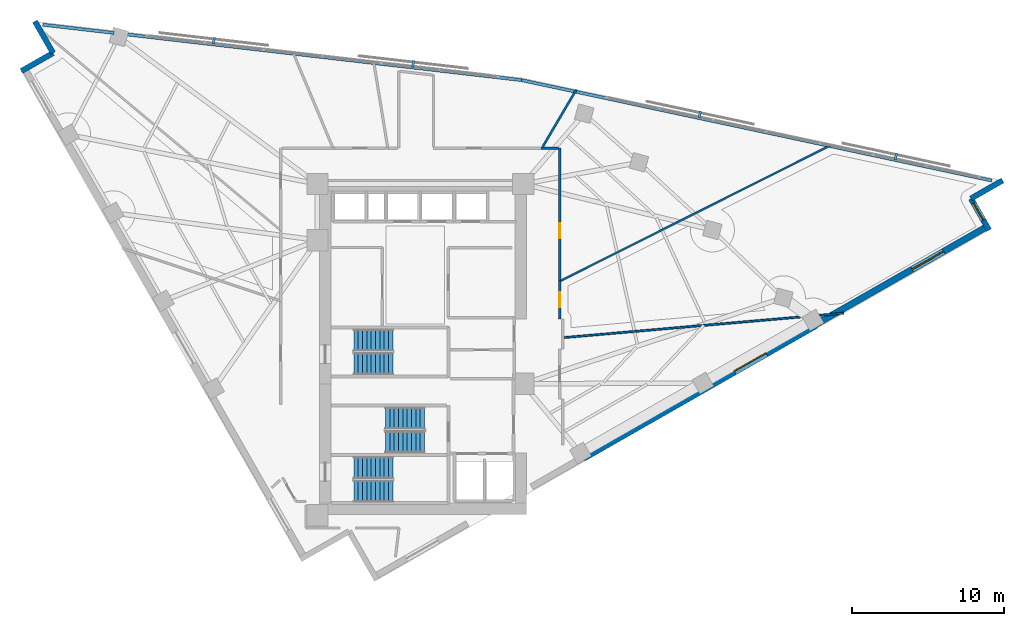
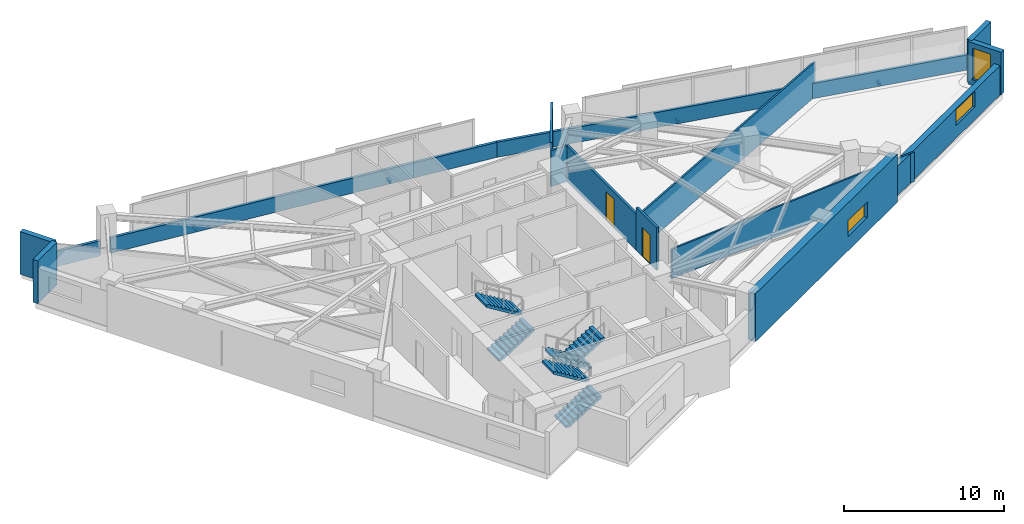
# One storey, part 11 of 13: 15 walls, 6 stair flights, 4 discrete accessories, 3 windows, 2 doors, 5 openings, 3 elements without a shape of their own.
"""IFC4 building model written with IfcOpenShell, lengths in metres."""

import ifcopenshell
import ifcopenshell.guid

model = None  # the IFC model being written
_history = None  # IfcOwnerHistory: only IFC2X3 demands one
_inside = {}  # id of a spatial element -> (the spatial element, [elements in it])
_under = {}  # id of a project, library or spatial element -> (it, [spatial elements below it])
_declared = {}  # id of a project -> (the project, [libraries it declares])
_typed = {}  # id of a type object -> (the type object, [elements of that type])
_made_of = {}  # id of a material, layer set ... -> (it, [elements and type objects made of it])


def new_model(schema):
    """Start an empty IFC model of exactly this schema.

    Asked for "IFC4X3", IfcOpenShell would pick the latest addendum, in which some entities
    have other attributes; the version numbers below select the first issue.
    IFC2X3 requires an IfcOwnerHistory on every rooted entity: one is made here for all.
    """
    global model, _history
    if schema == "IFC4X3":
        model = ifcopenshell.file(schema_version=(4, 3, 0, 0))
    else:
        model = ifcopenshell.file(schema=schema)
    _inside.clear()
    _under.clear()
    _declared.clear()
    _typed.clear()
    _made_of.clear()
    _history = None
    if model.schema == "IFC2X3":
        org = make("IfcOrganization", Name="unknown")
        user = make(
            "IfcPersonAndOrganization",
            ThePerson=make("IfcPerson", FamilyName="unknown"),
            TheOrganization=org,
        )
        app = make(
            "IfcApplication",
            ApplicationDeveloper=org,
            Version="unknown",
            ApplicationFullName="unknown",
            ApplicationIdentifier="unknown",
        )
        _history = make(
            "IfcOwnerHistory",
            OwningUser=user,
            OwningApplication=app,
            ChangeAction="ADDED",
            CreationDate=0,
        )
    return model


def make(cls, **values):
    """One entity of the class cls with the attributes given. An attribute that is None is left unset."""
    return model.create_entity(
        cls, **{name: value for name, value in values.items() if value is not None}
    )


def rooted(cls, **values):
    """An entity with a GlobalId (a new one), such as an element, a storey or a relation."""
    return make(cls, GlobalId=ifcopenshell.guid.new(), OwnerHistory=_history, **values)


def si_unit(unit_type, name, prefix=None):
    """IfcSIUnit, for example si_unit("LENGTHUNIT", "METRE", prefix="MILLI")."""
    return make("IfcSIUnit", UnitType=unit_type, Prefix=prefix, Name=name)


def assignment(units):
    """IfcUnitAssignment: the units of a project."""
    return None if units is None else make("IfcUnitAssignment", Units=units)


def point(xyz):
    """IfcCartesianPoint."""
    return None if xyz is None else make("IfcCartesianPoint", Coordinates=xyz)


def direction(xyz):
    """IfcDirection."""
    return None if xyz is None else make("IfcDirection", DirectionRatios=xyz)


def frame(location, z_axis=None, x_axis=None):
    """IfcAxis2Placement3D, a coordinate frame: its origin and axes. An axis left out is left unset."""
    return make(
        "IfcAxis2Placement3D",
        Location=point(location),
        Axis=direction(z_axis),
        RefDirection=direction(x_axis),
    )


def frame_2d(location, x_axis=None):
    """IfcAxis2Placement2D, a coordinate frame in the plane: its origin and x axis."""
    return make(
        "IfcAxis2Placement2D", Location=point(location), RefDirection=direction(x_axis)
    )


def origin():
    """The frame at (0, 0, 0) with its axes left unset."""
    return frame((0.0, 0.0, 0.0))


def origin_2d():
    """The frame at (0, 0) in the plane with its x axis left unset."""
    return frame_2d((0.0, 0.0))


def place(relative_to, where):
    """IfcLocalPlacement: puts the frame where relative to a parent placement (None: the world)."""
    return make(
        "IfcLocalPlacement", PlacementRelTo=relative_to, RelativePlacement=where
    )


def context(
    kind, dimensions, precision=None, world=None, true_north=None, identifier=None
):
    """IfcGeometricRepresentationContext, for example the 3D "Model" context."""
    return make(
        "IfcGeometricRepresentationContext",
        ContextIdentifier=identifier,
        ContextType=kind,
        CoordinateSpaceDimension=dimensions,
        Precision=precision,
        WorldCoordinateSystem=world,
        TrueNorth=true_north,
    )


def subcontext(parent, identifier, kind, view, scale=None):
    """IfcGeometricRepresentationSubContext, for example "Body" below "Model"."""
    return make(
        "IfcGeometricRepresentationSubContext",
        ContextIdentifier=identifier,
        ContextType=kind,
        ParentContext=parent,
        TargetScale=scale,
        TargetView=view,
    )


def project(units=None, contexts=None):
    """IfcProject with its units and contexts."""
    return rooted(
        "IfcProject",
        Name="project",
        RepresentationContexts=contexts,
        UnitsInContext=assignment(units),
    )


def spatial(cls, under=None, at=None, **own):
    """A site, building, storey or space (cls), placed at a placement, below another one or the project."""
    s = rooted(cls, ObjectPlacement=at, **own)
    if under is not None:
        _under.setdefault(under.id(), (under, []))[1].append(s)
    return s


def polyline(points):
    """IfcPolyline through the points."""
    return make("IfcPolyline", Points=[point(p) for p in points])


def profile(cls, at=None, kind="AREA", **sizes):
    """A parametric profile (cls). Its sizes go by their IFC names, for example OverallWidth=200.0."""
    return make(cls, ProfileType=kind, Position=at, **sizes)


def rectangle(**sizes):
    """IfcRectangleProfileDef."""
    return profile("IfcRectangleProfileDef", **sizes)


def outline(outer, holes=None, kind="AREA"):
    """IfcArbitraryClosedProfileDef: a profile drawn as a closed curve; with holes, ...WithVoids."""
    if holes is None:
        return make("IfcArbitraryClosedProfileDef", ProfileType=kind, OuterCurve=outer)
    return make(
        "IfcArbitraryProfileDefWithVoids",
        ProfileType=kind,
        OuterCurve=outer,
        InnerCurves=holes,
    )


def extrude(swept, where, along, depth):
    """IfcExtrudedAreaSolid: the profile swept, set in the frame where, extruded along a direction by depth."""
    return make(
        "IfcExtrudedAreaSolid",
        SweptArea=swept,
        Position=where,
        ExtrudedDirection=direction(along),
        Depth=depth,
    )


def shape(context_of_items, identifier, shape_type, items):
    """IfcShapeRepresentation: the items that make up one representation, for example the "Body"."""
    return make(
        "IfcShapeRepresentation",
        ContextOfItems=context_of_items,
        RepresentationIdentifier=identifier,
        RepresentationType=shape_type,
        Items=items,
    )


def material(Name=None, Category=None):
    """IfcMaterial."""
    return make("IfcMaterial", Name=Name, Category=Category)


def layer(
    of_material, thickness, ventilated=None, Name=None, Category=None, Priority=None
):
    """IfcMaterialLayer: one layer of a wall or slab, of a material (None: an air gap)."""
    return make(
        "IfcMaterialLayer",
        Material=of_material,
        LayerThickness=thickness,
        IsVentilated=ventilated,
        Name=Name,
        Category=Category,
        Priority=Priority,
    )


def layer_set(layers, Name=None):
    """IfcMaterialLayerSet."""
    return make("IfcMaterialLayerSet", MaterialLayers=layers, LayerSetName=Name)


def made_of(thing, what):
    """Note that an element or type object is made of a material, layer set ...; save() writes the relation."""
    if what is not None:
        _made_of.setdefault(what.id(), (what, []))[1].append(thing)
    return thing


def type_object(cls, material=None, **own):
    """A type object (cls), such as IfcWallType, which elements share."""
    return made_of(rooted(cls, **own), material)


def element(
    cls,
    number,
    at=None,
    inside=None,
    cuts=None,
    type_object=None,
    material=None,
    context=None,
    identifier="Body",
    shape_type=None,
    held_by="IfcProductDefinitionShape",
    body=None,
    shapes=None,
    **own,
):
    """One element of the class cls, such as IfcWall. Its Tag is "e" and its number.

    at: its placement. inside: the storey or other place that contains it. cuts: it is an
    opening in that element (IfcRelVoidsElement). A single representation is given by context,
    identifier, shape_type and body (its items); several are given by shapes. held_by: the class
    of the entity that holds the representations. save() writes the other relations.
    """
    e = rooted(cls, Tag="e%d" % number, ObjectPlacement=at, **own)
    if body is not None:
        shapes = [shape(context, identifier, shape_type, body)]
    if shapes is not None:
        e.Representation = make(held_by, Representations=shapes)
    if inside is not None:
        _inside.setdefault(inside.id(), (inside, []))[1].append(e)
    if cuts is not None:
        rooted(
            "IfcRelVoidsElement", RelatingBuildingElement=cuts, RelatedOpeningElement=e
        )
    if type_object is not None:
        _typed.setdefault(type_object.id(), (type_object, []))[1].append(e)
    return made_of(e, material)


def fill(opening, filler):
    """IfcRelFillsElement: the door or window that sits in an opening."""
    return rooted(
        "IfcRelFillsElement",
        RelatingOpeningElement=opening,
        RelatedBuildingElement=filler,
    )


def aggregate(whole, parts):
    """IfcRelAggregates: a whole, such as a stair, and the parts it consists of."""
    return rooted("IfcRelAggregates", RelatingObject=whole, RelatedObjects=parts)


def save(model, path):
    """Write the relations noted so far, then the file.

    IfcRelAggregates (storeys below a building ...), IfcRelContainedInSpatialStructure (elements
    in a storey), IfcRelDefinesByType, IfcRelAssociatesMaterial and IfcRelDeclares: one each for
    every whole, place, type object, material and project.
    """
    for whole, parts in _under.values():
        aggregate(whole, parts)
    for where, things in _inside.values():
        rooted(
            "IfcRelContainedInSpatialStructure",
            RelatedElements=things,
            RelatingStructure=where,
        )
    for kind, things in _typed.values():
        rooted("IfcRelDefinesByType", RelatedObjects=things, RelatingType=kind)
    for what, things in _made_of.values():
        rooted("IfcRelAssociatesMaterial", RelatedObjects=things, RelatingMaterial=what)
    for by, libraries in _declared.values():
        rooted("IfcRelDeclares", RelatingContext=by, RelatedDefinitions=libraries)
    model.write(path)


model = new_model("IFC4")

# Units and contexts
model_context = context("Model", 3, precision=1e-05, world=origin(), true_north=direction((0.0, 1.0)))
body_context = subcontext(model_context, "Body", "Model", "MODEL_VIEW")
ifc_project = project(units=[si_unit("LENGTHUNIT", "METRE"), si_unit("AREAUNIT", "SQUARE_METRE"), si_unit("VOLUMEUNIT", "CUBIC_METRE"), si_unit("PLANEANGLEUNIT", "RADIAN"), si_unit("MASSUNIT", "GRAM", prefix="KILO")], contexts=[model_context])

# Site, building, storey
site_placement = place(None, origin())
site = spatial("IfcSite", under=ifc_project, at=site_placement, CompositionType="ELEMENT")
building_placement = place(site_placement, origin())
building = spatial("IfcBuilding", under=site, at=building_placement, Name="Narakoshi Arena Tower", CompositionType="ELEMENT")
storey_placement = place(building_placement, frame((0.0, 0.0, 200.89990234375)))
storey = spatial("IfcBuildingStorey", under=building, at=storey_placement, Name="L54", CompositionType="ELEMENT", Elevation=200.89990234375)

# Wall, opening, door
ifc_material_1 = material(Name="Gypsum plasterboard fire-rated partition")
ifc_layer_1 = layer(ifc_material_1, 0.1650390625)
ifc_layer_set_1 = layer_set([ifc_layer_1], Name="Gypsum plasterboard fire-rated partition")
wall_type_1 = type_object("IfcWallType", Name="WL-CORR-165", PredefinedType="PARTITIONING", material=ifc_layer_set_1)
wall_1_placement = place(storey_placement, frame((87.955322265625, 47.6201171875, 0.0), z_axis=(0.0, 0.0, 1.0), x_axis=(0.0, 1.0, 0.0)))
wall_1 = element("IfcWall", 1, at=wall_1_placement, inside=storey, type_object=wall_type_1, Name="L54 Corridor Partition 03-1", PredefinedType="PARTITIONING", context=body_context, shape_type="SweptSolid", body=[
    extrude(rectangle(XDim=2.515869140625, YDim=0.1650390625, at=frame_2d((1.2578125, 0.0))), origin(), (0.0, 0.0, 1.0), 3.260009765625),
])
opening_1_placement = place(wall_1_placement, frame((0.758056640625, 0.0, 0.0)))
opening_1 = element("IfcOpeningElement", 2, at=opening_1_placement, cuts=wall_1, Name="Opening D-06", PredefinedType="OPENING", context=body_context, shape_type="SweptSolid", body=[
    extrude(rectangle(XDim=1.0, YDim=2.199951171875, at=frame_2d((0.5, 1.10009765625))), frame((0.0, 0.092529296875, 0.0), z_axis=(0.0, -1.0, 0.0), x_axis=(1.0, 0.0, 0.0)), (0.0, 0.0, 1.0), 0.18505859375),
])
ifc_material_2 = material(Name="Stained oak solid-core timber", Category="wood")
door_type = type_object("IfcDoorType", Name="DR-OFF-1000", OperationType="NOTDEFINED", PredefinedType="DOOR", material=ifc_material_2)
door_1_placement = place(opening_1_placement, frame((1.0, 0.0, 0.0), z_axis=(0.0, 0.0, 1.0), x_axis=(-1.0, 0.0, 0.0)))
door_1 = element("IfcDoor", 3, at=door_1_placement, inside=storey, type_object=door_type, Name="DR-L54-016", OperationType="SINGLE_SWING_RIGHT", OverallHeight=2.199951171875, OverallWidth=1.0, PredefinedType="DOOR", context=body_context, shape_type="SweptSolid", body=[
    extrude(rectangle(XDim=1.0, YDim=2.199951171875, at=frame_2d((0.5, 1.10009765625))), frame((0.0, 0.02490234375, 0.0), z_axis=(0.0, -1.0, 0.0), x_axis=(1.0, 0.0, 0.0)), (0.0, 0.0, 1.0), 0.050048828125),
])
fill(opening_1, door_1)

wall_2_placement = place(storey_placement, frame((87.955322265625, 50.16259765625, 0.0), z_axis=(0.0, 0.0, 1.0), x_axis=(0.0, 1.0, 0.0)))
wall_2 = element("IfcWall", 4, at=wall_2_placement, inside=storey, type_object=wall_type_1, Name="L54 Corridor Partition 04-1", PredefinedType="PARTITIONING", context=body_context, shape_type="SweptSolid", body=[
    extrude(rectangle(XDim=8.69287109375, YDim=0.1650390625, at=frame_2d((4.346435546875, 0.0))), origin(), (0.0, 0.0, 1.0), 2.7451171875),
])
opening_2_placement = place(wall_2_placement, frame((2.75244140625, 0.0, 0.0)))
opening_2 = element("IfcOpeningElement", 5, at=opening_2_placement, cuts=wall_2, Name="Opening D-06", PredefinedType="OPENING", context=body_context, shape_type="SweptSolid", body=[
    extrude(rectangle(XDim=1.0, YDim=2.199951171875, at=frame_2d((0.5, 1.10009765625))), frame((0.0, 0.092529296875, 0.0), z_axis=(0.0, -1.0, 0.0), x_axis=(1.0, 0.0, 0.0)), (0.0, 0.0, 1.0), 0.18505859375),
])
door_2_placement = place(opening_2_placement, frame((1.0, 0.0, 0.0), z_axis=(0.0, 0.0, 1.0), x_axis=(-1.0, 0.0, 0.0)))
door_2 = element("IfcDoor", 6, at=door_2_placement, inside=storey, type_object=door_type, Name="DR-L54-017", OperationType="SINGLE_SWING_LEFT", OverallHeight=2.199951171875, OverallWidth=1.0, PredefinedType="DOOR", context=body_context, shape_type="SweptSolid", body=[
    extrude(rectangle(XDim=1.0, YDim=2.199951171875, at=frame_2d((0.5, 1.10009765625))), frame((0.0, 0.02490234375, 0.0), z_axis=(0.0, -1.0, 0.0), x_axis=(1.0, 0.0, 0.0)), (0.0, 0.0, 1.0), 0.050048828125),
])
fill(opening_2, door_2)

# Wall
wall_3_placement = place(storey_placement, frame((87.86083984375, 58.85546875, 0.0), z_axis=(0.0, 0.0, 1.0), x_axis=(-1.0, 0.0, 0.0)))
element("IfcWall", 7, at=wall_3_placement, inside=storey, type_object=wall_type_1, Name="L54 Corridor Partition 04-2", PredefinedType="PARTITIONING", context=body_context, shape_type="SweptSolid", body=[
    extrude(rectangle(XDim=1.12939453125, YDim=0.1650390625, at=frame_2d((0.564697265625, 0.0))), origin(), (0.0, 0.0, 1.0), 2.7451171875),
])

# Wall, opening, window
ifc_material_3 = material(Name="Concrete C50/60", Category="concrete")
ifc_layer_2 = layer(ifc_material_3, 0.550048828125)
ifc_layer_set_2 = layer_set([ifc_layer_2], Name="Concrete C50/60")
wall_type_2 = type_object("IfcWallType", Name="WL-LEG-550", PredefinedType="SHEAR", material=ifc_layer_set_2)
wall_4_placement = place(storey_placement, frame((89.479248046875, 38.4990234375, -0.39990234375), z_axis=(0.0, 0.0, 1.0), x_axis=(0.868197136736, 0.496219439123, 0.0)))
wall_4 = element("IfcWall", 8, at=wall_4_placement, inside=storey, type_object=wall_type_2, Name="L54 Architectural Concrete Structural Wall LEGA-3", PredefinedType="SHEAR", context=body_context, shape_type="SweptSolid", body=[
    extrude(rectangle(XDim=17.63623046875, YDim=0.550048828125, at=frame_2d((8.818115234375, 0.0))), origin(), (0.0, 0.0, 1.0), 3.659912109375),
])
opening_3_placement = place(wall_4_placement, frame((11.463623046875, 0.0, 1.10009765625)))
opening_3 = element("IfcOpeningElement", 9, at=opening_3_placement, cuts=wall_4, Name="Opening WN-04", PredefinedType="OPENING", context=body_context, shape_type="SweptSolid", body=[
    extrude(rectangle(XDim=2.39990234375, YDim=1.199951171875, at=frame_2d((1.199951171875, 0.60009765625))), frame((0.0, 0.284912109375, 0.0), z_axis=(0.0, -1.0, 0.0), x_axis=(1.0, 0.0, 0.0)), (0.0, 0.0, 1.0), 0.570068359375),
])
ifc_material_4 = material(Name="Bronze-tinted low-E laminated glass", Category="glass")
window_type_1 = type_object("IfcWindowType", Name="WIN-SLT-24x12", PartitioningType="SINGLE_PANEL", PredefinedType="WINDOW", material=ifc_material_4)
window_1_placement = place(opening_3_placement, origin())
window_1 = element("IfcWindow", 10, at=window_1_placement, inside=storey, type_object=window_type_1, Name="L54 LEGA3 Horizontal Slot Window 1", OverallHeight=1.199951171875, OverallWidth=2.39990234375, PartitioningType="SINGLE_PANEL", PredefinedType="WINDOW", context=body_context, shape_type="SweptSolid", body=[
    extrude(rectangle(XDim=2.39990234375, YDim=1.199951171875, at=frame_2d((1.199951171875, 0.60009765625))), frame((0.0, 0.030029296875, 0.0), z_axis=(0.0, -1.0, 0.0), x_axis=(1.0, 0.0, 0.0)), (0.0, 0.0, 1.0), 0.06005859375),
])
fill(opening_3, window_1)

# Walls
ifc_material_5 = material(Name="Precast concrete C45/55", Category="concrete")
ifc_layer_3 = layer(ifc_material_5, 0.25)
ifc_layer_set_3 = layer_set([ifc_layer_3], Name="Precast concrete C45/55")
wall_type_3 = type_object("IfcWallType", Name="WL-PARA-250", PredefinedType="PARAPET", material=ifc_layer_set_3)
wall_5_placement = place(storey_placement, frame((116.3955078125, 56.7216796875, 0.0), z_axis=(0.0, 0.0, 1.0), x_axis=(-0.977936620644, 0.208901809478, 0.0)))
element("IfcWall", 11, at=wall_5_placement, inside=storey, type_object=wall_type_3, Name="L54 Hypotenuse Sill Upstand Parapet 1-01", PredefinedType="PARAPET", context=body_context, shape_type="SweptSolid", body=[
    extrude(rectangle(XDim=31.685302734375, YDim=0.199951171875, at=frame_2d((15.8427734375, 0.0))), origin(), (0.0, 0.0, 1.0), 1.150146484375),
])
wall_6_placement = place(storey_placement, frame((85.42431640625, 63.33837890625, 0.0), z_axis=(0.0, 0.0, 1.0), x_axis=(-0.993364714048, 0.115006716693, 0.0)))
element("IfcWall", 12, at=wall_6_placement, inside=storey, type_object=wall_type_3, Name="L54 Hypotenuse Sill Upstand Parapet 2-01", PredefinedType="PARAPET", context=body_context, shape_type="SweptSolid", body=[
    extrude(rectangle(XDim=26.302001953125, YDim=0.199951171875, at=frame_2d((13.15087890625, 0.0))), origin(), (0.0, 0.0, 1.0), 1.150146484375),
])
wall_7_placement = place(storey_placement, frame((58.621826171875, 66.44140625, 0.0), z_axis=(0.0, 0.0, 1.0), x_axis=(-0.993362937665, 0.115022059074, 0.0)))
element("IfcWall", 13, at=wall_7_placement, inside=storey, type_object=wall_type_3, Name="L54 Hypotenuse Sill Upstand Parapet 2-02", PredefinedType="PARAPET", context=body_context, shape_type="SweptSolid", body=[
    extrude(rectangle(XDim=4.72705078125, YDim=0.199951171875, at=frame_2d((2.363525390625, 0.0))), origin(), (0.0, 0.0, 1.0), 1.150146484375),
])
ifc_layer_4 = layer(ifc_material_1, 0.125)
ifc_layer_set_4 = layer_set([ifc_layer_4], Name="Gypsum plasterboard fire-rated partition")
wall_type_4 = type_object("IfcWallType", Name="WL-PART-125", PredefinedType="PARTITIONING", material=ifc_layer_set_4)
wall_8_placement = place(storey_placement, frame((88.244384765625, 46.39404296875, 0.0), z_axis=(0.0, 0.0, 1.0), x_axis=(0.996222472226, 0.086837698223, 0.0)))
element("IfcWall", 14, at=wall_8_placement, inside=storey, type_object=wall_type_4, Name="L54 Inter-Room Partition 02-03", PredefinedType="PARTITIONING", context=body_context, shape_type="SweptSolid", body=[
    extrude(rectangle(XDim=18.479736328125, YDim=0.125, at=frame_2d((9.23974609375, 0.0))), origin(), (0.0, 0.0, 1.0), 2.2451171875),
])
wall_9_placement = place(storey_placement, frame((88.021484375, 50.135986328125, 0.0), z_axis=(0.0, 0.0, 1.0), x_axis=(0.893782835211, 0.448499992734, 0.0)))
element("IfcWall", 15, at=wall_9_placement, inside=storey, type_object=wall_type_4, Name="L54 Inter-Room Partition 03-04", PredefinedType="PARTITIONING", context=body_context, shape_type="SweptSolid", body=[
    extrude(rectangle(XDim=20.0341796875, YDim=0.125, at=frame_2d((10.01708984375, 0.0))), origin(), (0.0, 0.0, 1.0), 2.64501953125),
])

# Wall, opening, window
ifc_layer_5 = layer(ifc_material_5, 0.419921875)
ifc_layer_set_5 = layer_set([ifc_layer_5], Name="Precast concrete C45/55")
wall_type_5 = type_object("IfcWallType", Name="WL-POD-420", PredefinedType="SOLIDWALL", material=ifc_layer_set_5)
wall_10_placement = place(storey_placement, frame((104.791015625, 47.25048828125, 0.0), z_axis=(0.0, 0.0, 1.0), x_axis=(0.868193423982, 0.496225934987, 0.0)))
wall_10 = element("IfcWall", 16, at=wall_10_placement, inside=storey, type_object=wall_type_5, Name="L54 Architectural Concrete Facade Wall LEGA-4", PredefinedType="SOLIDWALL", context=body_context, shape_type="SweptSolid", body=[
    extrude(rectangle(XDim=12.9951171875, YDim=0.419921875, at=frame_2d((6.49755859375, 0.0))), origin(), (0.0, 0.0, 1.0), 2.2451171875),
])
opening_4_placement = place(wall_10_placement, frame((7.309814453125, 0.0, 0.965087890625)))
opening_4 = element("IfcOpeningElement", 17, at=opening_4_placement, cuts=wall_10, Name="Opening WN-04", PredefinedType="OPENING", context=body_context, shape_type="SweptSolid", body=[
    extrude(rectangle(XDim=2.39990234375, YDim=1.199951171875, at=frame_2d((1.199951171875, 0.60009765625))), frame((0.0, 0.219970703125, 0.0), z_axis=(0.0, -1.0, 0.0), x_axis=(1.0, 0.0, 0.0)), (0.0, 0.0, 1.0), 0.43994140625),
])
window_2_placement = place(opening_4_placement, origin())
window_2 = element("IfcWindow", 18, at=window_2_placement, inside=storey, type_object=window_type_1, Name="L54 LEGA4 Horizontal Slot Window 1", OverallHeight=1.199951171875, OverallWidth=2.39990234375, PartitioningType="SINGLE_PANEL", PredefinedType="WINDOW", context=body_context, shape_type="SweptSolid", body=[
    extrude(rectangle(XDim=2.39990234375, YDim=1.199951171875, at=frame_2d((1.199951171875, 0.60009765625))), frame((0.0, 0.030029296875, 0.0), z_axis=(0.0, -1.0, 0.0), x_axis=(1.0, 0.0, 0.0)), (0.0, 0.0, 1.0), 0.06005859375),
])
fill(opening_4, window_2)

wall_11_placement = place(storey_placement, frame((116.209716796875, 53.460205078125, 0.0), z_axis=(0.0, 0.0, 1.0), x_axis=(-0.496215637313, 0.868199309655, 0.0)))
wall_11 = element("IfcWall", 19, at=wall_11_placement, inside=storey, type_object=wall_type_5, Name="L54 Re-Entrant Corner Notch Wall NTE-1", PredefinedType="SOLIDWALL", context=body_context, shape_type="SweptSolid", body=[
    extrude(rectangle(XDim=2.3994140625, YDim=0.360107421875, at=frame_2d((1.19970703125, 0.0))), origin(), (0.0, 0.0, 1.0), 3.260009765625),
])
opening_5_placement = place(wall_11_placement, frame((0.759765625, 0.0, 0.449951171875)))
opening_5 = element("IfcOpeningElement", 20, at=opening_5_placement, cuts=wall_11, Name="Opening WN-06", PredefinedType="OPENING", context=body_context, shape_type="SweptSolid", body=[
    extrude(rectangle(XDim=1.300048828125, YDim=2.39990234375, at=frame_2d((0.64990234375, 1.199951171875))), frame((0.0, 0.18994140625, 0.0), z_axis=(0.0, -1.0, 0.0), x_axis=(1.0, 0.0, 0.0)), (0.0, 0.0, 1.0), 0.380126953125),
])
window_type_2 = type_object("IfcWindowType", Name="WIN-NTC-16x24", PartitioningType="SINGLE_PANEL", PredefinedType="WINDOW", material=ifc_material_4)
window_3_placement = place(opening_5_placement, origin())
window_3 = element("IfcWindow", 21, at=window_3_placement, inside=storey, type_object=window_type_2, Name="L54 Corner Notch Window NTE", OverallHeight=2.39990234375, OverallWidth=1.300048828125, PartitioningType="SINGLE_PANEL", PredefinedType="WINDOW", context=body_context, shape_type="SweptSolid", body=[
    extrude(rectangle(XDim=1.300048828125, YDim=2.39990234375, at=frame_2d((0.64990234375, 1.199951171875))), frame((0.0, 0.030029296875, 0.0), z_axis=(0.0, -1.0, 0.0), x_axis=(1.0, 0.0, 0.0)), (0.0, 0.0, 1.0), 0.06005859375),
])
fill(opening_5, window_3)

# Walls
wall_12_placement = place(storey_placement, frame((115.01904296875, 55.54345703125, 0.0), z_axis=(0.0, 0.0, 1.0), x_axis=(0.86818053093, 0.4962484919, 0.0)))
element("IfcWall", 22, at=wall_12_placement, inside=storey, type_object=wall_type_5, Name="L54 Re-Entrant Corner Notch Wall NTE-2", PredefinedType="SOLIDWALL", context=body_context, shape_type="SweptSolid", body=[
    extrude(rectangle(XDim=2.39990234375, YDim=0.360107421875, at=frame_2d((1.199951171875, 0.0))), origin(), (0.0, 0.0, 1.0), 3.260009765625),
])
wall_13_placement = place(storey_placement, frame((53.408203125, 67.2060546875, 0.0), z_axis=(0.0, 0.0, 1.0), x_axis=(0.496292324652, -0.868155474838, 0.0)))
element("IfcWall", 23, at=wall_13_placement, inside=storey, type_object=wall_type_5, Name="L54 Re-Entrant Corner Notch Wall NTN-1", PredefinedType="SOLIDWALL", context=body_context, shape_type="SweptSolid", body=[
    extrude(rectangle(XDim=2.399658203125, YDim=0.360107421875, at=frame_2d((1.19970703125, 0.0))), origin(), (0.0, 0.0, 1.0), 3.260009765625),
])
wall_14_placement = place(storey_placement, frame((54.59912109375, 65.122802734375, 0.0), z_axis=(0.0, 0.0, 1.0), x_axis=(-0.86818053093, -0.4962484919, 0.0)))
element("IfcWall", 24, at=wall_14_placement, inside=storey, type_object=wall_type_5, Name="L54 Re-Entrant Corner Notch Wall NTN-2", PredefinedType="SOLIDWALL", context=body_context, shape_type="SweptSolid", body=[
    extrude(rectangle(XDim=2.39990234375, YDim=0.360107421875, at=frame_2d((1.199951171875, 0.0))), origin(), (0.0, 0.0, 1.0), 3.260009765625),
])
ifc_material_6 = material(Name="Moisture-resistant cement-board partition")
ifc_layer_6 = layer(ifc_material_6, 0.14501953125)
ifc_layer_set_6 = layer_set([ifc_layer_6], Name="Moisture-resistant cement-board partition")
wall_type_6 = type_object("IfcWallType", Name="WL-WET-145", PredefinedType="PARTITIONING", material=ifc_layer_set_6)
wall_15_placement = place(storey_placement, frame((86.8291015625, 58.949951171875, 0.0), z_axis=(0.0, 0.0, 1.0), x_axis=(0.507234379444, 0.861808148203, 0.0)))
element("IfcWall", 25, at=wall_15_placement, inside=storey, type_object=wall_type_6, Name="L54 Inter-Room Partition 04-05", PredefinedType="PARTITIONING", context=body_context, shape_type="SweptSolid", body=[
    extrude(rectangle(XDim=4.3818359375, YDim=0.14501953125, at=frame_2d((2.19091796875, 0.0))), origin(), (0.0, 0.0, 1.0), 3.260009765625),
])

# Stair, stair flights
ifc_material_7 = material(Name="Concrete C45/55", Category="concrete")
stair_type = type_object("IfcStairType", Name="STR-CORE-352", PredefinedType="TWO_STRAIGHT_RUN_STAIR", material=ifc_material_7)
stair_1_placement = place(storey_placement, origin())
stair_1 = element("IfcStair", 26, at=stair_1_placement, inside=storey, type_object=stair_type, Name="L54 Core Escape Stair ST1", PredefinedType="TWO_STRAIGHT_RUN_STAIR")
stair_flight_type = type_object("IfcStairFlightType", Name="FLT-145-160", PredefinedType="STRAIGHT", material=ifc_material_5)
stair_flight_1_placement = place(storey_placement, frame((74.39990234375, 36.27490234375, 0.0), z_axis=(0.0, 0.0, 1.0), x_axis=(1.0, 0.0, 0.0)))
stair_flight_1 = element("IfcStairFlight", 27, at=stair_flight_1_placement, type_object=stair_flight_type, Name="ST1 flight 1", NumberOfRisers=10, NumberOfTreads=9, PredefinedType="STRAIGHT", RiserHeight=0.176, TreadLength=0.285, context=body_context, shape_type="SweptSolid", body=[
    extrude(outline(polyline([(0.0, 0.0), (0.0, 0.176025390625), (0.284912109375, 0.176025390625), (0.284912109375, 0.35205078125), (0.570068359375, 0.35205078125), (0.570068359375, 0.528076171875), (0.85498046875, 0.528076171875), (0.85498046875, 0.7041015625), (1.139892578125, 0.7041015625), (1.139892578125, 0.8798828125), (1.425048828125, 0.8798828125), (1.425048828125, 1.055908203125), (1.7099609375, 1.055908203125), (1.7099609375, 1.23193359375), (1.9951171875, 1.23193359375), (1.9951171875, 1.407958984375), (2.280029296875, 1.407958984375), (2.280029296875, 1.583984375), (2.56494140625, 1.583984375), (2.56494140625, 1.760009765625), (2.56494140625, 1.40771484375), (0.285400390625, 0.0), (0.0, 0.0)])), frame((0.0, 0.72509765625, 0.0), z_axis=(0.0, -1.0, 0.0), x_axis=(1.0, 0.0, 0.0)), (0.0, 0.0, 1.0), 1.449951171875),
])
stair_flight_2_placement = place(storey_placement, frame((76.965087890625, 37.824951171875, 1.760009765625), z_axis=(0.0, 0.0, 1.0), x_axis=(-1.0, 0.0, 0.0)))
stair_flight_2 = element("IfcStairFlight", 28, at=stair_flight_2_placement, type_object=stair_flight_type, Name="ST1 flight 2", NumberOfRisers=10, NumberOfTreads=9, PredefinedType="STRAIGHT", RiserHeight=0.176, TreadLength=0.285, context=body_context, shape_type="SweptSolid", body=[
    extrude(outline(polyline([(0.0, 0.0), (0.0, 0.176025390625), (0.284912109375, 0.176025390625), (0.284912109375, 0.35205078125), (0.570068359375, 0.35205078125), (0.570068359375, 0.528076171875), (0.85498046875, 0.528076171875), (0.85498046875, 0.7041015625), (1.139892578125, 0.7041015625), (1.139892578125, 0.8798828125), (1.425048828125, 0.8798828125), (1.425048828125, 1.055908203125), (1.7099609375, 1.055908203125), (1.7099609375, 1.23193359375), (1.9951171875, 1.23193359375), (1.9951171875, 1.407958984375), (2.280029296875, 1.407958984375), (2.280029296875, 1.583984375), (2.56494140625, 1.583984375), (2.56494140625, 1.760009765625), (2.56494140625, 1.40771484375), (0.285400390625, 0.0), (0.0, 0.0)])), frame((0.0, 0.72509765625, 0.0), z_axis=(0.0, -1.0, 0.0), x_axis=(1.0, 0.0, 0.0)), (0.0, 0.0, 1.0), 1.449951171875),
])
aggregate(stair_1, [stair_flight_1, stair_flight_2])

stair_2_placement = place(storey_placement, origin())
stair_2 = element("IfcStair", 29, at=stair_2_placement, inside=storey, type_object=stair_type, Name="L54 Core Escape Stair ST2", PredefinedType="TWO_STRAIGHT_RUN_STAIR")
stair_flight_3_placement = place(storey_placement, frame((79.050048828125, 41.074951171875, 0.0), z_axis=(0.0, 0.0, 1.0), x_axis=(-1.0, 0.0, 0.0)))
stair_flight_3 = element("IfcStairFlight", 30, at=stair_flight_3_placement, type_object=stair_flight_type, Name="ST2 flight 1", NumberOfRisers=10, NumberOfTreads=9, PredefinedType="STRAIGHT", RiserHeight=0.176, TreadLength=0.285, context=body_context, shape_type="SweptSolid", body=[
    extrude(outline(polyline([(0.0, 0.0), (0.0, 0.176025390625), (0.284912109375, 0.176025390625), (0.284912109375, 0.35205078125), (0.570068359375, 0.35205078125), (0.570068359375, 0.528076171875), (0.85498046875, 0.528076171875), (0.85498046875, 0.7041015625), (1.139892578125, 0.7041015625), (1.139892578125, 0.8798828125), (1.425048828125, 0.8798828125), (1.425048828125, 1.055908203125), (1.7099609375, 1.055908203125), (1.7099609375, 1.23193359375), (1.9951171875, 1.23193359375), (1.9951171875, 1.407958984375), (2.280029296875, 1.407958984375), (2.280029296875, 1.583984375), (2.56494140625, 1.583984375), (2.56494140625, 1.760009765625), (2.56494140625, 1.40771484375), (0.285400390625, 0.0), (0.0, 0.0)])), frame((0.0, 0.72509765625, 0.0), z_axis=(0.0, -1.0, 0.0), x_axis=(1.0, 0.0, 0.0)), (0.0, 0.0, 1.0), 1.449951171875),
])
stair_flight_4_placement = place(storey_placement, frame((76.485107421875, 39.52490234375, 1.760009765625), z_axis=(0.0, 0.0, 1.0), x_axis=(1.0, 0.0, 0.0)))
stair_flight_4 = element("IfcStairFlight", 31, at=stair_flight_4_placement, type_object=stair_flight_type, Name="ST2 flight 2", NumberOfRisers=10, NumberOfTreads=9, PredefinedType="STRAIGHT", RiserHeight=0.176, TreadLength=0.285, context=body_context, shape_type="SweptSolid", body=[
    extrude(outline(polyline([(0.0, 0.0), (0.0, 0.176025390625), (0.284912109375, 0.176025390625), (0.284912109375, 0.35205078125), (0.570068359375, 0.35205078125), (0.570068359375, 0.528076171875), (0.85498046875, 0.528076171875), (0.85498046875, 0.7041015625), (1.139892578125, 0.7041015625), (1.139892578125, 0.8798828125), (1.425048828125, 0.8798828125), (1.425048828125, 1.055908203125), (1.7099609375, 1.055908203125), (1.7099609375, 1.23193359375), (1.9951171875, 1.23193359375), (1.9951171875, 1.407958984375), (2.280029296875, 1.407958984375), (2.280029296875, 1.583984375), (2.56494140625, 1.583984375), (2.56494140625, 1.760009765625), (2.56494140625, 1.40771484375), (0.285400390625, 0.0), (0.0, 0.0)])), frame((0.0, 0.72509765625, 0.0), z_axis=(0.0, -1.0, 0.0), x_axis=(1.0, 0.0, 0.0)), (0.0, 0.0, 1.0), 1.449951171875),
])
aggregate(stair_2, [stair_flight_3, stair_flight_4])

stair_3_placement = place(storey_placement, origin())
stair_3 = element("IfcStair", 32, at=stair_3_placement, inside=storey, type_object=stair_type, Name="L54 Core Escape Stair ST3", PredefinedType="TWO_STRAIGHT_RUN_STAIR")
stair_flight_5_placement = place(storey_placement, frame((74.39990234375, 44.675048828125, 0.0), z_axis=(0.0, 0.0, 1.0), x_axis=(1.0, 0.0, 0.0)))
stair_flight_5 = element("IfcStairFlight", 33, at=stair_flight_5_placement, type_object=stair_flight_type, Name="ST3 flight 1", NumberOfRisers=10, NumberOfTreads=9, PredefinedType="STRAIGHT", RiserHeight=0.176, TreadLength=0.285, context=body_context, shape_type="SweptSolid", body=[
    extrude(outline(polyline([(0.0, 0.0), (0.0, 0.176025390625), (0.284912109375, 0.176025390625), (0.284912109375, 0.35205078125), (0.570068359375, 0.35205078125), (0.570068359375, 0.528076171875), (0.85498046875, 0.528076171875), (0.85498046875, 0.7041015625), (1.139892578125, 0.7041015625), (1.139892578125, 0.8798828125), (1.425048828125, 0.8798828125), (1.425048828125, 1.055908203125), (1.7099609375, 1.055908203125), (1.7099609375, 1.23193359375), (1.9951171875, 1.23193359375), (1.9951171875, 1.407958984375), (2.280029296875, 1.407958984375), (2.280029296875, 1.583984375), (2.56494140625, 1.583984375), (2.56494140625, 1.760009765625), (2.56494140625, 1.40771484375), (0.285400390625, 0.0), (0.0, 0.0)])), frame((0.0, 0.72509765625, 0.0), z_axis=(0.0, -1.0, 0.0), x_axis=(1.0, 0.0, 0.0)), (0.0, 0.0, 1.0), 1.449951171875),
])
stair_flight_6_placement = place(storey_placement, frame((76.965087890625, 46.22509765625, 1.760009765625), z_axis=(0.0, 0.0, 1.0), x_axis=(-1.0, 0.0, 0.0)))
stair_flight_6 = element("IfcStairFlight", 34, at=stair_flight_6_placement, type_object=stair_flight_type, Name="ST3 flight 2", NumberOfRisers=10, NumberOfTreads=9, PredefinedType="STRAIGHT", RiserHeight=0.176, TreadLength=0.285, context=body_context, shape_type="SweptSolid", body=[
    extrude(outline(polyline([(0.0, 0.0), (0.0, 0.176025390625), (0.284912109375, 0.176025390625), (0.284912109375, 0.35205078125), (0.570068359375, 0.35205078125), (0.570068359375, 0.528076171875), (0.85498046875, 0.528076171875), (0.85498046875, 0.7041015625), (1.139892578125, 0.7041015625), (1.139892578125, 0.8798828125), (1.425048828125, 0.8798828125), (1.425048828125, 1.055908203125), (1.7099609375, 1.055908203125), (1.7099609375, 1.23193359375), (1.9951171875, 1.23193359375), (1.9951171875, 1.407958984375), (2.280029296875, 1.407958984375), (2.280029296875, 1.583984375), (2.56494140625, 1.583984375), (2.56494140625, 1.760009765625), (2.56494140625, 1.40771484375), (0.285400390625, 0.0), (0.0, 0.0)])), frame((0.0, 0.72509765625, 0.0), z_axis=(0.0, -1.0, 0.0), x_axis=(1.0, 0.0, 0.0)), (0.0, 0.0, 1.0), 1.449951171875),
])
aggregate(stair_3, [stair_flight_5, stair_flight_6])

# Discrete accessories
ifc_material_8 = material(Name="Structural steel S355J2", Category="steel")
discrete_accessory_type = type_object("IfcDiscreteAccessoryType", Name="ACC-BRK-SCR", PredefinedType="BRACKET", material=ifc_material_8)
for number, where, z_axis, x_axis, name in (
    (35, (110.078125, 58.316650390625, -0.080078125), (0.0, 0.0, 1.0), (-0.977936632473, 0.208901754101, 0.0), "L54 Solar Screen Support Bracket SHD-L54-SCR1-1"),
    (36, (97.169189453125, 61.07421875, -0.080078125), (0.0, 0.0, 1.0), (-0.977936632473, 0.208901754101, 0.0), "L54 Solar Screen Support Bracket SHD-L54-SCR1-2"),
    (37, (78.2998046875, 64.40478515625, -0.080078125), (0.0, 0.0, 1.0), (-0.993364739053, 0.115006500715, 0.0), "L54 Solar Screen Support Bracket SHD-L54-SCR2-1"),
    (38, (65.187255859375, 65.9228515625, -0.080078125), (0.0, 0.0, 1.0), (-0.993364739053, 0.115006500715, 0.0), "L54 Solar Screen Support Bracket SHD-L54-SCR2-2"),
):
    element("IfcDiscreteAccessory", number, at=place(storey_placement, frame(where, z_axis=z_axis, x_axis=x_axis)), inside=storey, type_object=discrete_accessory_type, Name=name, PredefinedType="BRACKET", context=body_context, shape_type="SweptSolid", body=[
        extrude(rectangle(XDim=0.159912109375, YDim=0.43994140625, at=origin_2d()), origin(), (0.0, 0.0, 1.0), 0.199951171875),
    ])

save(model, "model.ifc")
